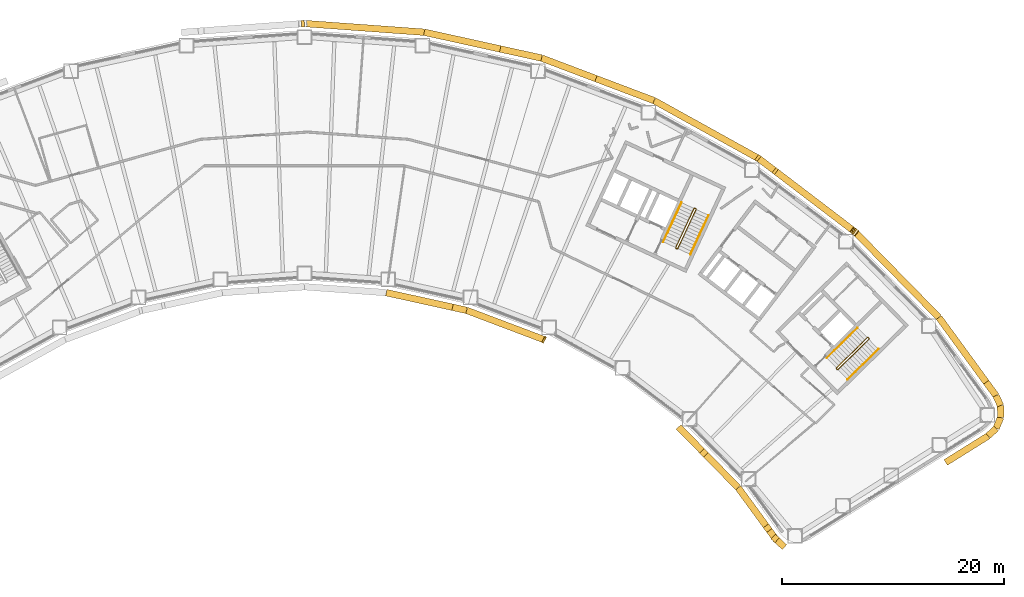
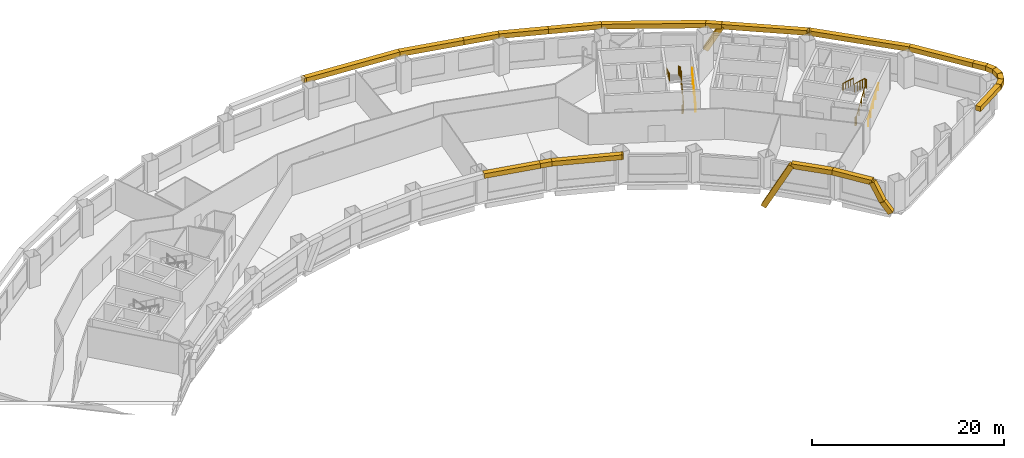
# One storey, part 11 of 11: 30 coverings, 6 railings.
"""IFC4 building model written with IfcOpenShell, lengths in metres."""

from ifc_helpers import new_model, si_unit, direction, frame, origin, origin_2d, place, context, subcontext, project, spatial, rectangle, circle, extrude, material, material_profile, profile_set, type_object, element, save


model = new_model("IFC4")

# Units and contexts
model_context = context("Model", 3, precision=1e-05, world=origin(), true_north=direction((0.0, 1.0)))
body_context = subcontext(model_context, "Body", "Model", "MODEL_VIEW")
ifc_project = project(units=[si_unit("LENGTHUNIT", "METRE"), si_unit("AREAUNIT", "SQUARE_METRE"), si_unit("VOLUMEUNIT", "CUBIC_METRE"), si_unit("PLANEANGLEUNIT", "RADIAN"), si_unit("MASSUNIT", "GRAM", prefix="KILO")], contexts=[model_context])

# Site, building, storey
site_placement = place(None, origin())
site = spatial("IfcSite", under=ifc_project, at=site_placement, CompositionType="ELEMENT")
building_placement = place(site_placement, origin())
building = spatial("IfcBuilding", under=site, at=building_placement, Name="Tuul Gate Civic Tower", CompositionType="ELEMENT")
storey_placement = place(building_placement, frame((0.0, 0.0, 52.5)))
storey = spatial("IfcBuildingStorey", under=building, at=storey_placement, Name="Level 11", CompositionType="ELEMENT", Elevation=52.5)

# Railings
ifc_material_1 = material(Name="Painted steel", Category="steel")
railing_type_1 = type_object("IfcRailingType", Name="Stair guard", PredefinedType="GUARDRAIL", material=ifc_material_1)
railing_1_placement = place(storey_placement, frame((48.10546875, -16.134765625, 0.0)))
element("IfcRailing", 1, at=railing_1_placement, inside=storey, type_object=railing_type_1, Name="Level 11 ST-3 stair guard 1", PredefinedType="GUARDRAIL", context=body_context, shape_type="SweptSolid", body=[
    extrude(circle(Radius=0.02392578125, at=origin_2d()), frame((0.0, 0.0, 1.076171875), z_axis=(-0.698506948293, 0.715603272202, 0.0), x_axis=(-0.715603272202, -0.698506948293, 0.0)), (0.0, 0.0, 1.0), 0.099853515625),
    extrude(circle(Radius=0.02392578125, at=origin_2d()), frame((-0.06982421875, 0.071533203125, 1.076171875), z_axis=(0.645446321009, -0.331687692741, 0.688027849131), x_axis=(0.457068866502, 0.889431307788, 0.0)), (0.0, 0.0, 1.0), 0.2177734375),
    extrude(circle(Radius=0.02392578125, at=origin_2d()), frame((0.07080078125, -0.000732421875, 1.22607421875), z_axis=(0.638715268259, 0.626117886127, 0.447235059857), x_axis=(-0.700029477518, 0.714113947914, 0.0)), (0.0, 0.0, 1.0), 4.360595703125),
    extrude(circle(Radius=0.02392578125, at=origin_2d()), frame((2.85595703125, 2.7294921875, 3.17626953125), z_axis=(0.010380063588, 0.999946125689, 0.0), x_axis=(-0.999946125689, 0.010380063588, 0.0)), (0.0, 0.0, 1.0), 0.070556640625),
    extrude(circle(Radius=0.02392578125, at=origin_2d()), frame((2.856689453125, 2.800048828125, 3.17626953125), z_axis=(-0.699754442181, 0.714383454909, 0.0), x_axis=(-0.714383454909, -0.699754442181, 0.0)), (0.0, 0.0, 1.0), 0.10009765625),
    extrude(circle(Radius=0.02392578125, at=origin_2d()), frame((2.78662109375, 2.87158203125, 3.17626953125), z_axis=(-0.427069033481, 0.004417955519, 0.904208229508), x_axis=(-0.010344274102, -0.999946496565, 0.0)), (0.0, 0.0, 1.0), 0.165771484375),
    extrude(circle(Radius=0.02392578125, at=origin_2d()), frame((2.7158203125, 2.872314453125, 3.326171875), z_axis=(-0.638731261263, -0.626133563701, 0.447190268558), x_axis=(0.700029477518, -0.714113947914, 0.0)), (0.0, 0.0, 1.0), 4.3603515625),
    extrude(circle(Radius=0.02099609375, at=origin_2d()), origin(), (0.0, 0.0, 1.0), 1.052001953125),
    extrude(circle(Radius=0.02099609375, at=origin_2d()), frame((-0.06982421875, 0.071533203125, 0.0)), (0.0, 0.0, 1.0), 1.052001953125),
    extrude(circle(Radius=0.02099609375, at=origin_2d()), frame((0.07080078125, -0.000732421875, 0.14990234375)), (0.0, 0.0, 1.0), 1.052001953125),
    extrude(circle(Radius=0.02099609375, at=origin_2d()), frame((0.76708984375, 0.681884765625, 0.637451171875)), (0.0, 0.0, 1.0), 1.052001953125),
    extrude(circle(Radius=0.02099609375, at=origin_2d()), frame((1.46337890625, 1.3642578125, 1.125)), (0.0, 0.0, 1.0), 1.052001953125),
    extrude(circle(Radius=0.02099609375, at=origin_2d()), frame((2.15966796875, 2.046875, 1.612548828125)), (0.0, 0.0, 1.0), 1.052001953125),
    extrude(circle(Radius=0.02099609375, at=origin_2d()), frame((2.85595703125, 2.7294921875, 2.10009765625)), (0.0, 0.0, 1.0), 1.052001953125),
    extrude(circle(Radius=0.02099609375, at=origin_2d()), frame((2.856689453125, 2.800048828125, 2.10009765625)), (0.0, 0.0, 1.0), 1.052001953125),
    extrude(circle(Radius=0.02099609375, at=origin_2d()), frame((2.78662109375, 2.87158203125, 2.10009765625)), (0.0, 0.0, 1.0), 1.052001953125),
    extrude(circle(Radius=0.02099609375, at=origin_2d()), frame((2.7158203125, 2.872314453125, 2.25)), (0.0, 0.0, 1.0), 1.052001953125),
    extrude(circle(Radius=0.02099609375, at=origin_2d()), frame((2.01953125, 2.189697265625, 2.737548828125)), (0.0, 0.0, 1.0), 1.052001953125),
    extrude(circle(Radius=0.02099609375, at=origin_2d()), frame((1.3232421875, 1.50732421875, 3.22509765625)), (0.0, 0.0, 1.0), 1.052001953125),
    extrude(circle(Radius=0.02099609375, at=origin_2d()), frame((0.626953125, 0.82470703125, 3.71240234375)), (0.0, 0.0, 1.0), 1.052001953125),
    extrude(circle(Radius=0.02099609375, at=origin_2d()), frame((-0.0693359375, 0.14208984375, 4.199951171875)), (0.0, 0.0, 1.0), 1.052001953125),
])
railing_2_placement = place(storey_placement, frame((33.645751953125, -5.238525390625, 0.0)))
element("IfcRailing", 2, at=railing_2_placement, inside=storey, type_object=railing_type_1, Name="Level 11 ST-4 stair guard 1", PredefinedType="GUARDRAIL", context=body_context, shape_type="SweptSolid", body=[
    extrude(circle(Radius=0.02392578125, at=origin_2d()), frame((0.0, 0.0, 1.076171875), z_axis=(-0.906307919131, 0.422617978463, 0.0), x_axis=(-0.422617978463, -0.906307919131, 0.0)), (0.0, 0.0, 1.0), 0.099853515625),
    extrude(circle(Radius=0.02392578125, at=origin_2d()), frame((-0.090576171875, 0.042236328125, 1.076171875), z_axis=(0.720735628292, -0.082946246491, 0.688229666829), x_axis=(0.114330889033, 0.993442724979, 0.0)), (0.0, 0.0, 1.0), 0.2177734375),
    extrude(circle(Radius=0.02392578125, at=origin_2d()), frame((0.06640625, 0.024169921875, 1.22607421875), z_axis=(0.377937439636, 0.810633814971, 0.447253965602), x_axis=(-0.906336612539, 0.422556439746, 0.0)), (0.0, 0.0, 1.0), 4.3603515625),
    extrude(circle(Radius=0.02392578125, at=origin_2d()), frame((1.71435546875, 3.558837890625, 3.17626953125), z_axis=(-0.342020437038, 0.939692513883, 0.0), x_axis=(-0.939692513883, -0.342020437038, 0.0)), (0.0, 0.0, 1.0), 0.070556640625),
    extrude(circle(Radius=0.02392578125, at=origin_2d()), frame((1.690185546875, 3.625244140625, 3.17626953125), z_axis=(-0.906307919131, 0.422617978463, 0.0), x_axis=(-0.422617978463, -0.906307919131, 0.0)), (0.0, 0.0, 1.0), 0.099853515625),
    extrude(circle(Radius=0.02392578125, at=origin_2d()), frame((1.599609375, 3.66748046875, 3.17626953125), z_axis=(-0.40070210376, -0.145843780413, 0.904526072458), x_axis=(0.342020437038, -0.939692513883, 0.0)), (0.0, 0.0, 1.0), 0.165771484375),
    extrude(circle(Radius=0.02392578125, at=origin_2d()), frame((1.533203125, 3.643310546875, 3.326171875), z_axis=(-0.377946903738, -0.810654114417, 0.447209173356), x_axis=(0.906336612539, -0.422556439746, 0.0)), (0.0, 0.0, 1.0), 4.3603515625),
    extrude(circle(Radius=0.02099609375, at=origin_2d()), origin(), (0.0, 0.0, 1.0), 1.052001953125),
    extrude(circle(Radius=0.02099609375, at=origin_2d()), frame((-0.090576171875, 0.042236328125, 0.0)), (0.0, 0.0, 1.0), 1.052001953125),
    extrude(circle(Radius=0.02099609375, at=origin_2d()), frame((0.06640625, 0.024169921875, 0.14990234375)), (0.0, 0.0, 1.0), 1.052001953125),
    extrude(circle(Radius=0.02099609375, at=origin_2d()), frame((0.478515625, 0.90771484375, 0.637451171875)), (0.0, 0.0, 1.0), 1.052001953125),
    extrude(circle(Radius=0.02099609375, at=origin_2d()), frame((0.890380859375, 1.79150390625, 1.125)), (0.0, 0.0, 1.0), 1.052001953125),
    extrude(circle(Radius=0.02099609375, at=origin_2d()), frame((1.30224609375, 2.67529296875, 1.612548828125)), (0.0, 0.0, 1.0), 1.052001953125),
    extrude(circle(Radius=0.02099609375, at=origin_2d()), frame((1.71435546875, 3.558837890625, 2.10009765625)), (0.0, 0.0, 1.0), 1.052001953125),
    extrude(circle(Radius=0.02099609375, at=origin_2d()), frame((1.690185546875, 3.625244140625, 2.10009765625)), (0.0, 0.0, 1.0), 1.052001953125),
    extrude(circle(Radius=0.02099609375, at=origin_2d()), frame((1.599609375, 3.66748046875, 2.10009765625)), (0.0, 0.0, 1.0), 1.052001953125),
    extrude(circle(Radius=0.02099609375, at=origin_2d()), frame((1.533203125, 3.643310546875, 2.25)), (0.0, 0.0, 1.0), 1.052001953125),
    extrude(circle(Radius=0.02099609375, at=origin_2d()), frame((1.12109375, 2.759765625, 2.737548828125)), (0.0, 0.0, 1.0), 1.052001953125),
    extrude(circle(Radius=0.02099609375, at=origin_2d()), frame((0.709228515625, 1.8759765625, 3.22509765625)), (0.0, 0.0, 1.0), 1.052001953125),
    extrude(circle(Radius=0.02099609375, at=origin_2d()), frame((0.29736328125, 0.9921875, 3.71240234375)), (0.0, 0.0, 1.0), 1.052001953125),
    extrude(circle(Radius=0.02099609375, at=origin_2d()), frame((-0.11474609375, 0.108642578125, 4.199951171875)), (0.0, 0.0, 1.0), 1.052001953125),
])
ifc_material_2 = material(Name="Painted steel", Category="steel")
railing_type_2 = type_object("IfcRailingType", Name="Stair handrail", PredefinedType="HANDRAIL", material=ifc_material_2)
railing_3_placement = place(storey_placement, frame((49.05126953125, -17.028076171875, 0.14990234375)))
element("IfcRailing", 3, at=railing_3_placement, inside=storey, type_object=railing_type_2, Name="Level 11 ST-3 stair handrail 1", PredefinedType="HANDRAIL", context=body_context, shape_type="SweptSolid", body=[
    extrude(circle(Radius=0.02392578125, at=origin_2d()), frame((0.0, 0.0, 0.8759765625), z_axis=(0.638737658801, 0.626083844733, 0.447250737947), x_axis=(-0.699997553204, 0.714145241186, 0.0)), (0.0, 0.0, 1.0), 4.3603515625),
    extrude(circle(Radius=0.02099609375, at=origin_2d()), origin(), (0.0, 0.0, 1.0), 0.851806640625),
    extrude(circle(Radius=0.02099609375, at=origin_2d()), frame((0.6962890625, 0.6826171875, 0.487548828125)), (0.0, 0.0, 1.0), 0.851806640625),
    extrude(circle(Radius=0.02099609375, at=origin_2d()), frame((1.392578125, 1.364990234375, 0.97509765625)), (0.0, 0.0, 1.0), 0.851806640625),
    extrude(circle(Radius=0.02099609375, at=origin_2d()), frame((2.0888671875, 2.04736328125, 1.462646484375)), (0.0, 0.0, 1.0), 0.851806640625),
    extrude(circle(Radius=0.02099609375, at=origin_2d()), frame((2.78515625, 2.72998046875, 1.9501953125)), (0.0, 0.0, 1.0), 0.851806640625),
])
railing_4_placement = place(storey_placement, frame((49.9462890625, -12.369873046875, 2.25)))
element("IfcRailing", 4, at=railing_4_placement, inside=storey, type_object=railing_type_2, Name="Level 11 ST-3 stair handrail 2", PredefinedType="HANDRAIL", context=body_context, shape_type="SweptSolid", body=[
    extrude(circle(Radius=0.02392578125, at=origin_2d()), frame((0.0, 0.0, 0.8759765625), z_axis=(-0.638753653487, -0.626099522554, 0.447205945863), x_axis=(0.699997553204, -0.714145241186, 0.0)), (0.0, 0.0, 1.0), 4.3603515625),
    extrude(circle(Radius=0.02099609375, at=origin_2d()), origin(), (0.0, 0.0, 1.0), 0.851806640625),
    extrude(circle(Radius=0.02099609375, at=origin_2d()), frame((-0.6962890625, -0.6826171875, 0.487548828125)), (0.0, 0.0, 1.0), 0.851806640625),
    extrude(circle(Radius=0.02099609375, at=origin_2d()), frame((-1.392578125, -1.364990234375, 0.97509765625)), (0.0, 0.0, 1.0), 0.851806640625),
    extrude(circle(Radius=0.02099609375, at=origin_2d()), frame((-2.0888671875, -2.04736328125, 1.46240234375)), (0.0, 0.0, 1.0), 0.851806640625),
    extrude(circle(Radius=0.02099609375, at=origin_2d()), frame((-2.78515625, -2.72998046875, 1.949951171875)), (0.0, 0.0, 1.0), 0.851806640625),
])
railing_5_placement = place(storey_placement, frame((34.844970703125, -5.74267578125, 0.14990234375)))
element("IfcRailing", 5, at=railing_5_placement, inside=storey, type_object=railing_type_2, Name="Level 11 ST-4 stair handrail 1", PredefinedType="HANDRAIL", context=body_context, shape_type="SweptSolid", body=[
    extrude(circle(Radius=0.02392578125, at=origin_2d()), frame((0.0, 0.0, 0.8759765625), z_axis=(0.377985431313, 0.810616660428, 0.447244500863), x_axis=(-0.906312636903, 0.422607861012, 0.0)), (0.0, 0.0, 1.0), 4.3603515625),
    extrude(circle(Radius=0.02099609375, at=origin_2d()), origin(), (0.0, 0.0, 1.0), 0.851806640625),
    extrude(circle(Radius=0.02099609375, at=origin_2d()), frame((0.412109375, 0.8837890625, 0.487548828125)), (0.0, 0.0, 1.0), 0.851806640625),
    extrude(circle(Radius=0.02099609375, at=origin_2d()), frame((0.82421875, 1.767333984375, 0.97509765625)), (0.0, 0.0, 1.0), 0.851806640625),
    extrude(circle(Radius=0.02099609375, at=origin_2d()), frame((1.236083984375, 2.65087890625, 1.462646484375)), (0.0, 0.0, 1.0), 0.851806640625),
    extrude(circle(Radius=0.02099609375, at=origin_2d()), frame((1.648193359375, 3.53466796875, 1.9501953125)), (0.0, 0.0, 1.0), 0.851806640625),
])
railing_6_placement = place(storey_placement, frame((34.046142578125, -1.06689453125, 2.25)))
element("IfcRailing", 6, at=railing_6_placement, inside=storey, type_object=railing_type_2, Name="Level 11 ST-4 stair handrail 2", PredefinedType="HANDRAIL", context=body_context, shape_type="SweptSolid", body=[
    extrude(circle(Radius=0.02392578125, at=origin_2d()), frame((0.0, 0.0, 0.8759765625), z_axis=(-0.377994896215, -0.810636958585, 0.447199709091), x_axis=(0.906312636903, -0.422607861012, 0.0)), (0.0, 0.0, 1.0), 4.3603515625),
    extrude(circle(Radius=0.02099609375, at=origin_2d()), origin(), (0.0, 0.0, 1.0), 0.851806640625),
    extrude(circle(Radius=0.02099609375, at=origin_2d()), frame((-0.412109375, -0.8837890625, 0.487548828125)), (0.0, 0.0, 1.0), 0.851806640625),
    extrude(circle(Radius=0.02099609375, at=origin_2d()), frame((-0.82421875, -1.767333984375, 0.97509765625)), (0.0, 0.0, 1.0), 0.851806640625),
    extrude(circle(Radius=0.02099609375, at=origin_2d()), frame((-1.236083984375, -2.65087890625, 1.46240234375)), (0.0, 0.0, 1.0), 0.851806640625),
    extrude(circle(Radius=0.02099609375, at=origin_2d()), frame((-1.648193359375, -3.53466796875, 1.949951171875)), (0.0, 0.0, 1.0), 0.851806640625),
])

# Coverings
ifc_material_3 = material(Name="Terracotta baguette", Category="masonry")
ifc_material_profile = material_profile(ifc_material_3, rectangle(XDim=0.60009765625, YDim=0.60009765625, at=origin_2d()), Name="Terracotta baguette screen frame")
ifc_profile_set = profile_set([ifc_material_profile], Name="Terracotta baguette")
covering_type = type_object("IfcCoveringType", Name="Terracotta baguette screen frame", PredefinedType="CLADDING", material=ifc_profile_set)
covering_1_placement = place(storey_placement, frame((57.901123046875, -24.52685546875, 3.85009765625), z_axis=(0.848058898511, 0.529901976461, 0.0), x_axis=(-0.529901976461, 0.848058898511, 0.0)))
element("IfcCovering", 7, at=covering_1_placement, inside=storey, type_object=covering_type, Name="Baguette 11", PredefinedType="CLADDING", context=body_context, shape_type="SweptSolid", body=[
    extrude(rectangle(XDim=0.60009765625, YDim=0.60009765625, at=origin_2d()), origin(), (0.0, 0.0, 1.0), 4.526611328125),
])
covering_2_placement = place(storey_placement, frame((61.739990234375, -22.128173828125, 3.85009765625), z_axis=(0.722137314744, 0.691749737011, 0.0), x_axis=(-0.691749737011, 0.722137314744, 0.0)))
element("IfcCovering", 8, at=covering_2_placement, inside=storey, type_object=covering_type, Name="Baguette 12", PredefinedType="CLADDING", context=body_context, shape_type="SweptSolid", body=[
    extrude(rectangle(XDim=0.60009765625, YDim=0.60009765625, at=origin_2d()), origin(), (0.0, 0.0, 1.0), 0.98828125),
])
covering_3_placement = place(storey_placement, frame((62.45361328125, -21.444580078125, 3.85009765625), z_axis=(0.385784883999, 0.922588761734, 0.0), x_axis=(-0.922588761734, 0.385784883999, 0.0)))
element("IfcCovering", 9, at=covering_3_placement, inside=storey, type_object=covering_type, Name="Baguette 13", PredefinedType="CLADDING", context=body_context, shape_type="SweptSolid", body=[
    extrude(rectangle(XDim=0.60009765625, YDim=0.60009765625, at=origin_2d()), origin(), (0.0, 0.0, 1.0), 1.06689453125),
])
covering_4_placement = place(storey_placement, frame((62.865234375, -20.460205078125, 3.85009765625), z_axis=(-0.014650442147, 0.999892676513, 0.0), x_axis=(-0.999892676513, -0.014650442147, 0.0)))
element("IfcCovering", 10, at=covering_4_placement, inside=storey, type_object=covering_type, Name="Baguette 14", PredefinedType="CLADDING", context=body_context, shape_type="SweptSolid", body=[
    extrude(rectangle(XDim=0.60009765625, YDim=0.60009765625, at=origin_2d()), origin(), (0.0, 0.0, 1.0), 1.06640625),
])
covering_5_placement = place(storey_placement, frame((62.849609375, -19.393798828125, 3.85009765625), z_axis=(-0.412928742672, 0.910763335601, 0.0), x_axis=(-0.910763335601, -0.412928742672, 0.0)))
element("IfcCovering", 11, at=covering_5_placement, inside=storey, type_object=covering_type, Name="Baguette 15", PredefinedType="CLADDING", context=body_context, shape_type="SweptSolid", body=[
    extrude(rectangle(XDim=0.60009765625, YDim=0.60009765625, at=origin_2d()), origin(), (0.0, 0.0, 1.0), 0.9892578125),
])
covering_6_placement = place(storey_placement, frame((62.441162109375, -18.492919921875, 3.85009765625), z_axis=(-0.589811807799, 0.807540730478, 0.0), x_axis=(-0.807540730478, -0.589811807799, 0.0)))
element("IfcCovering", 12, at=covering_6_placement, inside=storey, type_object=covering_type, Name="Baguette 16", PredefinedType="CLADDING", context=body_context, shape_type="SweptSolid", body=[
    extrude(rectangle(XDim=0.60009765625, YDim=0.60009765625, at=origin_2d()), origin(), (0.0, 0.0, 1.0), 1.49462890625),
])
covering_7_placement = place(storey_placement, frame((49.693603515625, -3.690185546875, 3.93408203125), z_axis=(-0.58436318787, 0.44419499078, -0.679124785903), x_axis=(-0.605151459078, -0.796110363942, 0.0)))
element("IfcCovering", 13, at=covering_7_placement, inside=storey, type_object=covering_type, Name="Baguette 30", PredefinedType="CLADDING", context=body_context, shape_type="SweptSolid", body=[
    extrude(rectangle(XDim=0.60009765625, YDim=0.60009765625, at=origin_2d()), origin(), (0.0, 0.0, 1.0), 0.123779296875),
])
covering_8_placement = place(storey_placement, frame((49.621337890625, -3.63525390625, 3.85009765625), z_axis=(0.378072366065, -0.28738608907, -0.880040068308), x_axis=(0.605151459078, 0.796110363942, 0.0)))
element("IfcCovering", 14, at=covering_8_placement, inside=storey, type_object=covering_type, Name="Baguette 34", PredefinedType="CLADDING", context=body_context, shape_type="SweptSolid", body=[
    extrude(rectangle(XDim=0.60009765625, YDim=0.60009765625, at=origin_2d()), origin(), (0.0, 0.0, 1.0), 0.191162109375),
])
covering_9_placement = place(storey_placement, frame((49.621337890625, -3.63525390625, 3.85009765625), z_axis=(-0.795609596357, 0.605809681488, 0.0), x_axis=(-0.605809681488, -0.795609596357, 0.0)))
element("IfcCovering", 15, at=covering_9_placement, inside=storey, type_object=covering_type, Name="Baguette 36", PredefinedType="CLADDING", context=body_context, shape_type="SweptSolid", body=[
    extrude(rectangle(XDim=0.60009765625, YDim=0.60009765625, at=origin_2d()), origin(), (0.0, 0.0, 1.0), 9.072265625),
])
covering_10_placement = place(storey_placement, frame((42.4033203125, 1.86083984375, 3.85009765625), z_axis=(-0.378091075585, 0.287863234392, -0.879876069028), x_axis=(-0.605768691074, -0.795640806467, 0.0)))
element("IfcCovering", 16, at=covering_10_placement, inside=storey, type_object=covering_type, Name="Baguette 41", PredefinedType="CLADDING", context=body_context, shape_type="SweptSolid", body=[
    extrude(rectangle(XDim=0.60009765625, YDim=0.60009765625, at=origin_2d()), origin(), (0.0, 0.0, 1.0), 3.552734375),
])
covering_11_placement = place(storey_placement, frame((26.325927734375, 10.126708984375, 3.85009765625), z_axis=(-0.935382818769, 0.353636794398, 0.0), x_axis=(-0.353636794398, -0.935382818769, 0.0)))
element("IfcCovering", 17, at=covering_11_placement, inside=storey, type_object=covering_type, Name="Baguette 57", PredefinedType="CLADDING", context=body_context, shape_type="SweptSolid", body=[
    extrude(rectangle(XDim=0.60009765625, YDim=0.60009765625, at=origin_2d()), origin(), (0.0, 0.0, 1.0), 5.245361328125),
])
covering_12_placement = place(storey_placement, frame((21.41943359375, 11.981689453125, 3.85009765625), z_axis=(-0.976544490881, 0.215315715472, 0.0), x_axis=(-0.215315715472, -0.976544490881, 0.0)))
element("IfcCovering", 18, at=covering_12_placement, inside=storey, type_object=covering_type, Name="Baguette 58", PredefinedType="CLADDING", context=body_context, shape_type="SweptSolid", body=[
    extrude(rectangle(XDim=0.60009765625, YDim=0.60009765625, at=origin_2d()), origin(), (0.0, 0.0, 1.0), 3.826904296875),
])
covering_13_placement = place(storey_placement, frame((13.3779296875, -10.513916015625, 3.85009765625), z_axis=(0.97654942651, -0.215293329165, 0.0), x_axis=(0.215293329165, 0.97654942651, 0.0)))
element("IfcCovering", 19, at=covering_13_placement, inside=storey, type_object=covering_type, Name="Baguette 233", PredefinedType="CLADDING", context=body_context, shape_type="SweptSolid", body=[
    extrude(rectangle(XDim=0.60009765625, YDim=0.60009765625, at=origin_2d()), origin(), (0.0, 0.0, 1.0), 1.294921875),
])
covering_14_placement = place(storey_placement, frame((14.642578125, -10.792724609375, 3.85009765625), z_axis=(0.935363965038, -0.353686659217, 0.0), x_axis=(0.353686659217, 0.935363965038, 0.0)))
element("IfcCovering", 20, at=covering_14_placement, inside=storey, type_object=covering_type, Name="Baguette 234", PredefinedType="CLADDING", context=body_context, shape_type="SweptSolid", body=[
    extrude(rectangle(XDim=0.60009765625, YDim=0.60009765625, at=origin_2d()), origin(), (0.0, 0.0, 1.0), 7.417724609375),
])
covering_15_placement = place(storey_placement, frame((21.580810546875, -13.416259765625, 3.85009765625), z_axis=(0.874322522594, -0.485345368254, 0.0), x_axis=(0.485345368254, 0.874322522594, 0.0)))
element("IfcCovering", 21, at=covering_15_placement, inside=storey, type_object=covering_type, Name="Baguette 235", PredefinedType="CLADDING", context=body_context, shape_type="SweptSolid", body=[
    extrude(rectangle(XDim=0.60009765625, YDim=0.60009765625, at=origin_2d()), origin(), (0.0, 0.0, 1.0), 0.139404296875),
])
covering_16_placement = place(storey_placement, frame((36.075439453125, -23.654296875, 3.85009765625), z_axis=(-0.326302490649, 0.332887579187, -0.884710429587), x_axis=(-0.714134909565, -0.700008093482, 0.0)))
element("IfcCovering", 22, at=covering_16_placement, inside=storey, type_object=covering_type, Name="Baguette 254", PredefinedType="CLADDING", context=body_context, shape_type="SweptSolid", body=[
    extrude(rectangle(XDim=0.60009765625, YDim=0.60009765625, at=origin_2d()), origin(), (0.0, 0.0, 1.0), 6.450927734375),
])
covering_17_placement = place(storey_placement, frame((36.075439453125, -23.654296875, 3.85009765625), z_axis=(0.700042634993, -0.714101049706, 0.0), x_axis=(0.714101049706, 0.700042634993, 0.0)))
element("IfcCovering", 23, at=covering_17_placement, inside=storey, type_object=covering_type, Name="Baguette 256", PredefinedType="CLADDING", context=body_context, shape_type="SweptSolid", body=[
    extrude(rectangle(XDim=0.60009765625, YDim=0.60009765625, at=origin_2d()), origin(), (0.0, 0.0, 1.0), 4.410888671875),
])
covering_18_placement = place(storey_placement, frame((39.163330078125, -26.80419921875, 3.85009765625), z_axis=(0.589751062736, -0.80758509397, 0.0), x_axis=(0.80758509397, 0.589751062736, 0.0)))
element("IfcCovering", 24, at=covering_18_placement, inside=storey, type_object=covering_type, Name="Baguette 257", PredefinedType="CLADDING", context=body_context, shape_type="SweptSolid", body=[
    extrude(rectangle(XDim=0.60009765625, YDim=0.60009765625, at=origin_2d()), origin(), (0.0, 0.0, 1.0), 4.51904296875),
])
covering_19_placement = place(storey_placement, frame((41.828369140625, -30.45361328125, 3.85009765625), z_axis=(0.278597074614, -0.381606916432, -0.881339793353), x_axis=(0.807662774431, 0.589644675037, 0.0)))
element("IfcCovering", 25, at=covering_19_placement, inside=storey, type_object=covering_type, Name="Baguette 270", PredefinedType="CLADDING", context=body_context, shape_type="SweptSolid", body=[
    extrude(rectangle(XDim=0.60009765625, YDim=0.60009765625, at=origin_2d()), origin(), (0.0, 0.0, 1.0), 2.438720703125),
])
covering_20_placement = place(storey_placement, frame((42.5078125, -31.38427734375, 1.70068359375), z_axis=(0.418515268248, -0.39182463935, -0.819340235947), x_axis=(0.683445771731, 0.730001285686, 0.0)))
element("IfcCovering", 26, at=covering_20_placement, inside=storey, type_object=covering_type, Name="Baguette 271", PredefinedType="CLADDING", context=body_context, shape_type="SweptSolid", body=[
    extrude(rectangle(XDim=0.60009765625, YDim=0.60009765625, at=origin_2d()), origin(), (0.0, 0.0, 1.0), 1.5732421875),
])
covering_21_placement = place(storey_placement, frame((61.5595703125, -17.285888671875, 3.85009765625), z_axis=(-0.589818720198, 0.807535681753, 0.0), x_axis=(-0.807535681753, -0.589818720198, 0.0)))
element("IfcCovering", 27, at=covering_21_placement, inside=storey, type_object=covering_type, Name="Baguette 288", PredefinedType="CLADDING", context=body_context, shape_type="SweptSolid", body=[
    extrude(rectangle(XDim=0.60009765625, YDim=0.60009765625, at=origin_2d()), origin(), (0.0, 0.0, 1.0), 7.239501953125),
])
covering_22_placement = place(storey_placement, frame((57.28955078125, -11.439697265625, 3.85009765625), z_axis=(-0.699995601925, 0.714147153804, 0.0), x_axis=(-0.714147153804, -0.699995601925, 0.0)))
element("IfcCovering", 28, at=covering_22_placement, inside=storey, type_object=covering_type, Name="Baguette 289", PredefinedType="CLADDING", context=body_context, shape_type="SweptSolid", body=[
    extrude(rectangle(XDim=0.60009765625, YDim=0.60009765625, at=origin_2d()), origin(), (0.0, 0.0, 1.0), 10.851318359375),
])
covering_23_placement = place(storey_placement, frame((49.693603515625, -3.690185546875, 3.85009765625), z_axis=(-0.796110363942, 0.605151459078, 0.0), x_axis=(-0.605151459078, -0.796110363942, 0.0)))
element("IfcCovering", 29, at=covering_23_placement, inside=storey, type_object=covering_type, Name="Baguette 290", PredefinedType="CLADDING", context=body_context, shape_type="SweptSolid", body=[
    extrude(rectangle(XDim=0.60009765625, YDim=0.60009765625, at=origin_2d()), origin(), (0.0, 0.0, 1.0), 0.0908203125),
])
covering_24_placement = place(storey_placement, frame((42.4033203125, 1.86083984375, 3.85009765625), z_axis=(-0.795640806467, 0.605768691074, 0.0), x_axis=(-0.605768691074, -0.795640806467, 0.0)))
element("IfcCovering", 30, at=covering_24_placement, inside=storey, type_object=covering_type, Name="Baguette 294", PredefinedType="CLADDING", context=body_context, shape_type="SweptSolid", body=[
    extrude(rectangle(XDim=0.60009765625, YDim=0.60009765625, at=origin_2d()), origin(), (0.0, 0.0, 1.0), 1.688232421875),
])
covering_25_placement = place(storey_placement, frame((41.06005859375, 2.883544921875, 3.85009765625), z_axis=(-0.874626999089, 0.484796464987, 0.0), x_axis=(-0.484796464987, -0.874626999089, 0.0)))
element("IfcCovering", 31, at=covering_25_placement, inside=storey, type_object=covering_type, Name="Baguette 295", PredefinedType="CLADDING", context=body_context, shape_type="SweptSolid", body=[
    extrude(rectangle(XDim=0.60009765625, YDim=0.60009765625, at=origin_2d()), origin(), (0.0, 0.0, 1.0), 10.8515625),
])
covering_26_placement = place(storey_placement, frame((31.569091796875, 8.144287109375, 3.85009765625), z_axis=(-0.935373504722, 0.353661429426, 0.0), x_axis=(-0.353661429426, -0.935373504722, 0.0)))
element("IfcCovering", 32, at=covering_26_placement, inside=storey, type_object=covering_type, Name="Baguette 296", PredefinedType="CLADDING", context=body_context, shape_type="SweptSolid", body=[
    extrude(rectangle(XDim=0.60009765625, YDim=0.60009765625, at=origin_2d()), origin(), (0.0, 0.0, 1.0), 5.60546875),
])
covering_27_placement = place(storey_placement, frame((17.682373046875, 12.8056640625, 3.85009765625), z_axis=(-0.976546345599, 0.215307303402, 0.0), x_axis=(-0.215307303402, -0.976546345599, 0.0)))
element("IfcCovering", 33, at=covering_27_placement, inside=storey, type_object=covering_type, Name="Baguette 297", PredefinedType="CLADDING", context=body_context, shape_type="SweptSolid", body=[
    extrude(rectangle(XDim=0.60009765625, YDim=0.60009765625, at=origin_2d()), origin(), (0.0, 0.0, 1.0), 7.024658203125),
])
covering_28_placement = place(storey_placement, frame((10.822509765625, 14.318115234375, 3.85009765625), z_axis=(-0.997386817082, 0.072246363998, 0.0), x_axis=(-0.072246363998, -0.997386817082, 0.0)))
element("IfcCovering", 34, at=covering_28_placement, inside=storey, type_object=covering_type, Name="Baguette 298", PredefinedType="CLADDING", context=body_context, shape_type="SweptSolid", body=[
    extrude(rectangle(XDim=0.60009765625, YDim=0.60009765625, at=origin_2d()), origin(), (0.0, 0.0, 1.0), 10.850830078125),
])
covering_29_placement = place(storey_placement, frame((0.0, 15.10205078125, 3.85009765625), z_axis=(-0.997370581012, -0.072470160291, 0.0), x_axis=(0.072470160291, -0.997370581012, 0.0)))
element("IfcCovering", 35, at=covering_29_placement, inside=storey, type_object=covering_type, Name="Baguette 299", PredefinedType="CLADDING", context=body_context, shape_type="SweptSolid", body=[
    extrude(rectangle(XDim=0.60009765625, YDim=0.60009765625, at=origin_2d()), origin(), (0.0, 0.0, 1.0), 0.26953125),
])
covering_30_placement = place(storey_placement, frame((7.398681640625, -9.196044921875, 3.85009765625), z_axis=(0.976560886687, -0.215241340343, 0.0), x_axis=(0.215241340343, 0.976560886687, 0.0)))
element("IfcCovering", 36, at=covering_30_placement, inside=storey, type_object=covering_type, Name="Baguette 360", PredefinedType="CLADDING", context=body_context, shape_type="SweptSolid", body=[
    extrude(rectangle(XDim=0.60009765625, YDim=0.60009765625, at=origin_2d()), origin(), (0.0, 0.0, 1.0), 6.122802734375),
])

save(model, "model.ifc")
